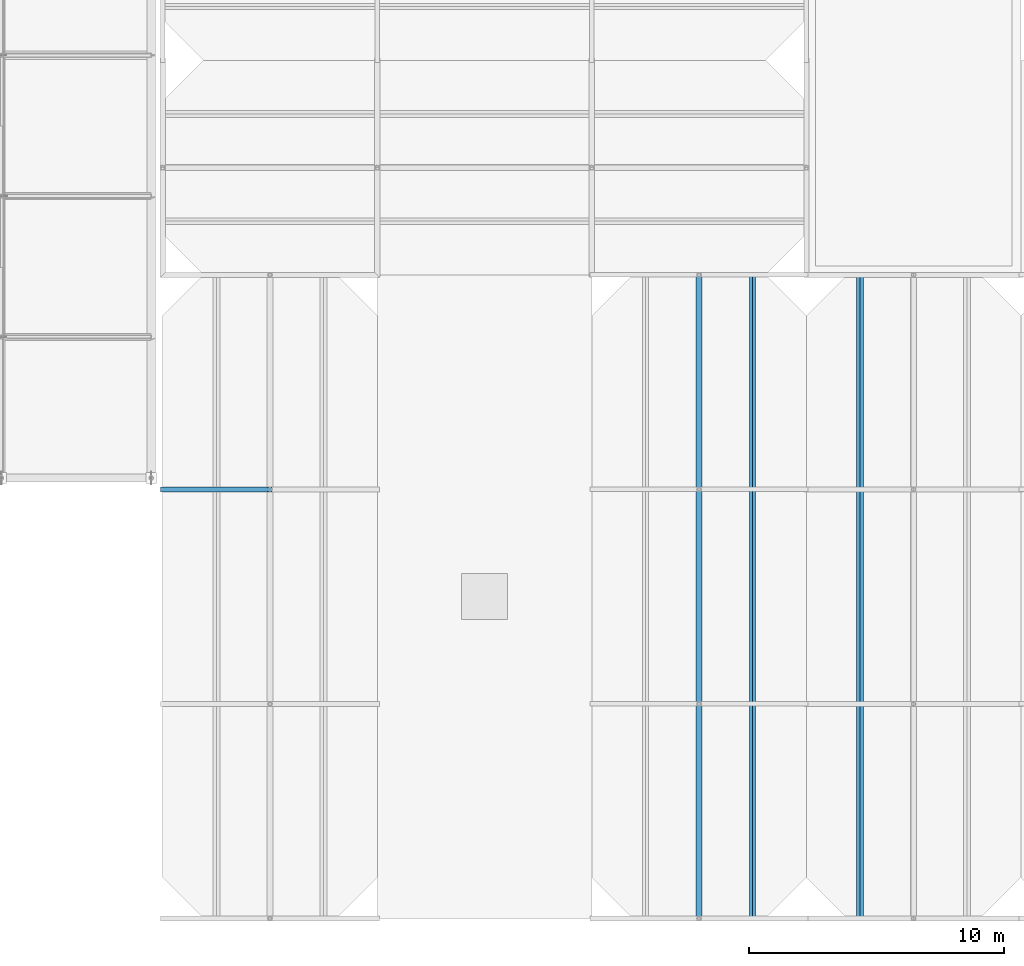
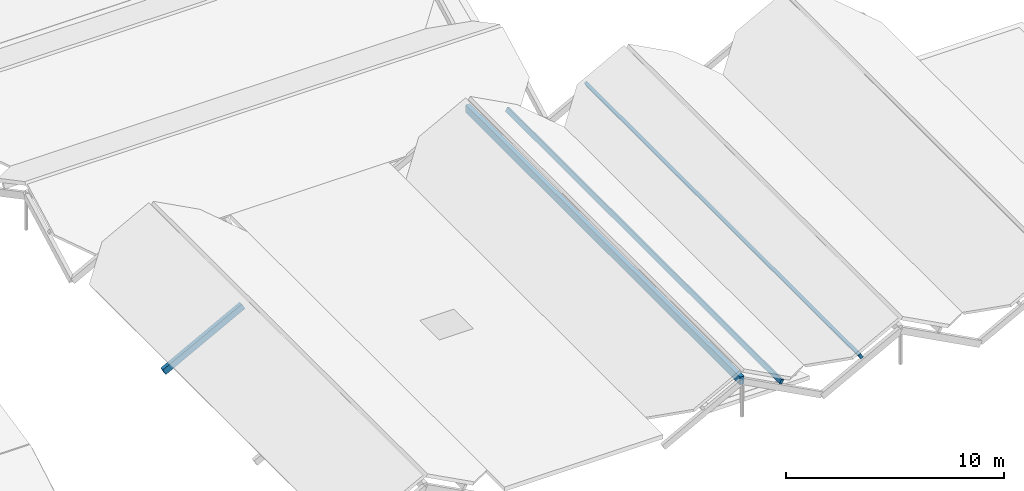
# One storey, part 20 of 82: 3 members, 1 beam.
"""IFC4 building model written with IfcOpenShell, lengths in metres."""

import ifcopenshell
import ifcopenshell.guid

model = None  # the IFC model being written
_history = None  # IfcOwnerHistory: only IFC2X3 demands one
_inside = {}  # id of a spatial element -> (the spatial element, [elements in it])
_under = {}  # id of a project, library or spatial element -> (it, [spatial elements below it])
_declared = {}  # id of a project -> (the project, [libraries it declares])
_typed = {}  # id of a type object -> (the type object, [elements of that type])
_made_of = {}  # id of a material, layer set ... -> (it, [elements and type objects made of it])


def new_model(schema):
    """Start an empty IFC model of exactly this schema.

    Asked for "IFC4X3", IfcOpenShell would pick the latest addendum, in which some entities
    have other attributes; the version numbers below select the first issue.
    IFC2X3 requires an IfcOwnerHistory on every rooted entity: one is made here for all.
    """
    global model, _history
    if schema == "IFC4X3":
        model = ifcopenshell.file(schema_version=(4, 3, 0, 0))
    else:
        model = ifcopenshell.file(schema=schema)
    _inside.clear()
    _under.clear()
    _declared.clear()
    _typed.clear()
    _made_of.clear()
    _history = None
    if model.schema == "IFC2X3":
        org = make("IfcOrganization", Name="unknown")
        user = make(
            "IfcPersonAndOrganization",
            ThePerson=make("IfcPerson", FamilyName="unknown"),
            TheOrganization=org,
        )
        app = make(
            "IfcApplication",
            ApplicationDeveloper=org,
            Version="unknown",
            ApplicationFullName="unknown",
            ApplicationIdentifier="unknown",
        )
        _history = make(
            "IfcOwnerHistory",
            OwningUser=user,
            OwningApplication=app,
            ChangeAction="ADDED",
            CreationDate=0,
        )
    return model


def make(cls, **values):
    """One entity of the class cls with the attributes given. An attribute that is None is left unset."""
    return model.create_entity(
        cls, **{name: value for name, value in values.items() if value is not None}
    )


def rooted(cls, **values):
    """An entity with a GlobalId (a new one), such as an element, a storey or a relation."""
    return make(cls, GlobalId=ifcopenshell.guid.new(), OwnerHistory=_history, **values)


def si_unit(unit_type, name, prefix=None):
    """IfcSIUnit, for example si_unit("LENGTHUNIT", "METRE", prefix="MILLI")."""
    return make("IfcSIUnit", UnitType=unit_type, Prefix=prefix, Name=name)


def assignment(units):
    """IfcUnitAssignment: the units of a project."""
    return None if units is None else make("IfcUnitAssignment", Units=units)


def point(xyz):
    """IfcCartesianPoint."""
    return None if xyz is None else make("IfcCartesianPoint", Coordinates=xyz)


def direction(xyz):
    """IfcDirection."""
    return None if xyz is None else make("IfcDirection", DirectionRatios=xyz)


def frame(location, z_axis=None, x_axis=None):
    """IfcAxis2Placement3D, a coordinate frame: its origin and axes. An axis left out is left unset."""
    return make(
        "IfcAxis2Placement3D",
        Location=point(location),
        Axis=direction(z_axis),
        RefDirection=direction(x_axis),
    )


def frame_2d(location, x_axis=None):
    """IfcAxis2Placement2D, a coordinate frame in the plane: its origin and x axis."""
    return make(
        "IfcAxis2Placement2D", Location=point(location), RefDirection=direction(x_axis)
    )


def origin():
    """The frame at (0, 0, 0) with its axes left unset."""
    return frame((0.0, 0.0, 0.0))


def origin_2d():
    """The frame at (0, 0) in the plane with its x axis left unset."""
    return frame_2d((0.0, 0.0))


def place(relative_to, where):
    """IfcLocalPlacement: puts the frame where relative to a parent placement (None: the world)."""
    return make(
        "IfcLocalPlacement", PlacementRelTo=relative_to, RelativePlacement=where
    )


def context(
    kind, dimensions, precision=None, world=None, true_north=None, identifier=None
):
    """IfcGeometricRepresentationContext, for example the 3D "Model" context."""
    return make(
        "IfcGeometricRepresentationContext",
        ContextIdentifier=identifier,
        ContextType=kind,
        CoordinateSpaceDimension=dimensions,
        Precision=precision,
        WorldCoordinateSystem=world,
        TrueNorth=true_north,
    )


def subcontext(parent, identifier, kind, view, scale=None):
    """IfcGeometricRepresentationSubContext, for example "Body" below "Model"."""
    return make(
        "IfcGeometricRepresentationSubContext",
        ContextIdentifier=identifier,
        ContextType=kind,
        ParentContext=parent,
        TargetScale=scale,
        TargetView=view,
    )


def project(units=None, contexts=None):
    """IfcProject with its units and contexts."""
    return rooted(
        "IfcProject",
        Name="project",
        RepresentationContexts=contexts,
        UnitsInContext=assignment(units),
    )


def spatial(cls, under=None, at=None, **own):
    """A site, building, storey or space (cls), placed at a placement, below another one or the project."""
    s = rooted(cls, ObjectPlacement=at, **own)
    if under is not None:
        _under.setdefault(under.id(), (under, []))[1].append(s)
    return s


def profile(cls, at=None, kind="AREA", **sizes):
    """A parametric profile (cls). Its sizes go by their IFC names, for example OverallWidth=200.0."""
    return make(cls, ProfileType=kind, Position=at, **sizes)


def rectangle(**sizes):
    """IfcRectangleProfileDef."""
    return profile("IfcRectangleProfileDef", **sizes)


def extrude(swept, where, along, depth):
    """IfcExtrudedAreaSolid: the profile swept, set in the frame where, extruded along a direction by depth."""
    return make(
        "IfcExtrudedAreaSolid",
        SweptArea=swept,
        Position=where,
        ExtrudedDirection=direction(along),
        Depth=depth,
    )


def shape(context_of_items, identifier, shape_type, items):
    """IfcShapeRepresentation: the items that make up one representation, for example the "Body"."""
    return make(
        "IfcShapeRepresentation",
        ContextOfItems=context_of_items,
        RepresentationIdentifier=identifier,
        RepresentationType=shape_type,
        Items=items,
    )


def material(Name=None, Category=None):
    """IfcMaterial."""
    return make("IfcMaterial", Name=Name, Category=Category)


def material_profile(
    of_material, cross_section, Name=None, Category=None, Priority=None
):
    """IfcMaterialProfile: a cross section and its material."""
    return make(
        "IfcMaterialProfile",
        Name=Name,
        Material=of_material,
        Profile=cross_section,
        Priority=Priority,
        Category=Category,
    )


def profile_set(profiles, Name=None, composite=None):
    """IfcMaterialProfileSet."""
    return make(
        "IfcMaterialProfileSet",
        Name=Name,
        MaterialProfiles=profiles,
        CompositeProfile=composite,
    )


def made_of(thing, what):
    """Note that an element or type object is made of a material, layer set ...; save() writes the relation."""
    if what is not None:
        _made_of.setdefault(what.id(), (what, []))[1].append(thing)
    return thing


def type_object(cls, material=None, **own):
    """A type object (cls), such as IfcWallType, which elements share."""
    return made_of(rooted(cls, **own), material)


def element(
    cls,
    number,
    at=None,
    inside=None,
    cuts=None,
    type_object=None,
    material=None,
    context=None,
    identifier="Body",
    shape_type=None,
    held_by="IfcProductDefinitionShape",
    body=None,
    shapes=None,
    **own,
):
    """One element of the class cls, such as IfcWall. Its Tag is "e" and its number.

    at: its placement. inside: the storey or other place that contains it. cuts: it is an
    opening in that element (IfcRelVoidsElement). A single representation is given by context,
    identifier, shape_type and body (its items); several are given by shapes. held_by: the class
    of the entity that holds the representations. save() writes the other relations.
    """
    e = rooted(cls, Tag="e%d" % number, ObjectPlacement=at, **own)
    if body is not None:
        shapes = [shape(context, identifier, shape_type, body)]
    if shapes is not None:
        e.Representation = make(held_by, Representations=shapes)
    if inside is not None:
        _inside.setdefault(inside.id(), (inside, []))[1].append(e)
    if cuts is not None:
        rooted(
            "IfcRelVoidsElement", RelatingBuildingElement=cuts, RelatedOpeningElement=e
        )
    if type_object is not None:
        _typed.setdefault(type_object.id(), (type_object, []))[1].append(e)
    return made_of(e, material)


def aggregate(whole, parts):
    """IfcRelAggregates: a whole, such as a stair, and the parts it consists of."""
    return rooted("IfcRelAggregates", RelatingObject=whole, RelatedObjects=parts)


def save(model, path):
    """Write the relations noted so far, then the file.

    IfcRelAggregates (storeys below a building ...), IfcRelContainedInSpatialStructure (elements
    in a storey), IfcRelDefinesByType, IfcRelAssociatesMaterial and IfcRelDeclares: one each for
    every whole, place, type object, material and project.
    """
    for whole, parts in _under.values():
        aggregate(whole, parts)
    for where, things in _inside.values():
        rooted(
            "IfcRelContainedInSpatialStructure",
            RelatedElements=things,
            RelatingStructure=where,
        )
    for kind, things in _typed.values():
        rooted("IfcRelDefinesByType", RelatedObjects=things, RelatingType=kind)
    for what, things in _made_of.values():
        rooted("IfcRelAssociatesMaterial", RelatedObjects=things, RelatingMaterial=what)
    for by, libraries in _declared.values():
        rooted("IfcRelDeclares", RelatingContext=by, RelatedDefinitions=libraries)
    model.write(path)


model = new_model("IFC4")

# Units and contexts
model_context = context("Model", 3, precision=1e-05, world=origin(), true_north=direction((0.0, 1.0)))
body_context = subcontext(model_context, "Body", "Model", "MODEL_VIEW")
ifc_project = project(units=[si_unit("LENGTHUNIT", "METRE"), si_unit("AREAUNIT", "SQUARE_METRE"), si_unit("VOLUMEUNIT", "CUBIC_METRE"), si_unit("PLANEANGLEUNIT", "RADIAN"), si_unit("MASSUNIT", "GRAM", prefix="KILO")], contexts=[model_context])

# Site, building, storey
site_placement = place(None, origin())
site = spatial("IfcSite", under=ifc_project, at=site_placement, CompositionType="ELEMENT")
building_placement = place(site_placement, origin())
building = spatial("IfcBuilding", under=site, at=building_placement, Name="Bramfleet General Hospital", CompositionType="ELEMENT")
storey_placement = place(building_placement, frame((0.0, 0.0, 34.199951171875)))
storey = spatial("IfcBuildingStorey", under=building, at=storey_placement, Name="Roof", CompositionType="ELEMENT", Elevation=34.199951171875)

# Beam
ifc_material = material(Name="Structural timber GL28h", Category="wood")
ifc_material_profile_1 = material_profile(ifc_material, rectangle(XDim=0.219970703125, YDim=0.43994140625, at=origin_2d()), Name="GL28h 440x220")
ifc_profile_set_1 = profile_set([ifc_material_profile_1], Name="Structural timber GL28h")
beam_type = type_object("IfcBeamType", Name="BM-GL440", PredefinedType="BEAM", material=ifc_profile_set_1)
beam_placement = place(storey_placement, frame((113.39990234375, 0.0, 1.561279296875), z_axis=(0.0, 1.0, 0.0), x_axis=(-1.0, 0.0, 0.0)))
element("IfcBeam", 1, at=beam_placement, inside=storey, type_object=beam_type, Name="Patient House PH-06 Glulam Ridge Beam", PredefinedType="BEAM", context=body_context, shape_type="SweptSolid", body=[
    extrude(rectangle(XDim=0.219970703125, YDim=0.43994140625, at=origin_2d()), origin(), (0.0, 0.0, 1.0), 25.199951171875),
])

# Members
ifc_material_profile_2 = material_profile(ifc_material, rectangle(XDim=0.139892578125, YDim=0.239990234375, at=origin_2d()), Name="GL28h 240x140")
ifc_profile_set_2 = profile_set([ifc_material_profile_2], Name="Structural timber GL28h")
member_type_1 = type_object("IfcMemberType", Name="MEM-PR-GL240", PredefinedType="PURLIN", material=ifc_profile_set_2)
member_1_placement = place(storey_placement, frame((115.5, 0.0, 0.754638671875), z_axis=(0.0, 1.0, 0.0), x_axis=(-0.882947592859, 0.0, 0.469471562786)))
element("IfcMember", 2, at=member_1_placement, inside=storey, type_object=member_type_1, Name="Patient House PH-06 East Glulam Purlin", PredefinedType="PURLIN", context=body_context, shape_type="SweptSolid", body=[
    extrude(rectangle(XDim=0.139892578125, YDim=0.239990234375, at=origin_2d()), origin(), (0.0, 0.0, 1.0), 25.199951171875),
])
ifc_material_profile_3 = material_profile(ifc_material, rectangle(XDim=0.159912109375, YDim=0.280029296875, at=origin_2d()), Name="GL28h 280x160")
ifc_profile_set_3 = profile_set([ifc_material_profile_3], Name="Structural timber GL28h")
member_type_2 = type_object("IfcMemberType", Name="MEM-PR-GL280", PredefinedType="PURLIN", material=ifc_profile_set_3)
member_2_placement = place(storey_placement, frame((119.699951171875, 0.0, 0.71533203125), z_axis=(0.0, 1.0, 0.0), x_axis=(-0.882947592859, 0.0, -0.469471562786)))
element("IfcMember", 3, at=member_2_placement, inside=storey, type_object=member_type_2, Name="Patient House PH-07 West Glulam Purlin", PredefinedType="PURLIN", context=body_context, shape_type="SweptSolid", body=[
    extrude(rectangle(XDim=0.159912109375, YDim=0.280029296875, at=origin_2d()), origin(), (0.0, 0.0, 1.0), 25.199951171875),
])
ifc_material_profile_4 = material_profile(ifc_material, rectangle(XDim=0.199951171875, YDim=0.360107421875, at=origin_2d()), Name="GL28h 360x200")
ifc_profile_set_4 = profile_set([ifc_material_profile_4], Name="Structural timber GL28h")
member_type_3 = type_object("IfcMemberType", Name="MEM-RF-GL360", PredefinedType="RAFTER", material=ifc_profile_set_4)
member_3_placement = place(storey_placement, frame((92.39990234375, 16.800048828125, -0.75634765625), z_axis=(0.882958848035, 0.0, 0.469450394267), x_axis=(0.0, 1.0, 0.0)))
element("IfcMember", 4, at=member_3_placement, inside=storey, type_object=member_type_3, Name="Patient House PH-05 West Glulam Rafter 2", PredefinedType="RAFTER", context=body_context, shape_type="SweptSolid", body=[
    extrude(rectangle(XDim=0.199951171875, YDim=0.360107421875, at=origin_2d()), origin(), (0.0, 0.0, 1.0), 4.7568359375),
])

save(model, "model.ifc")
